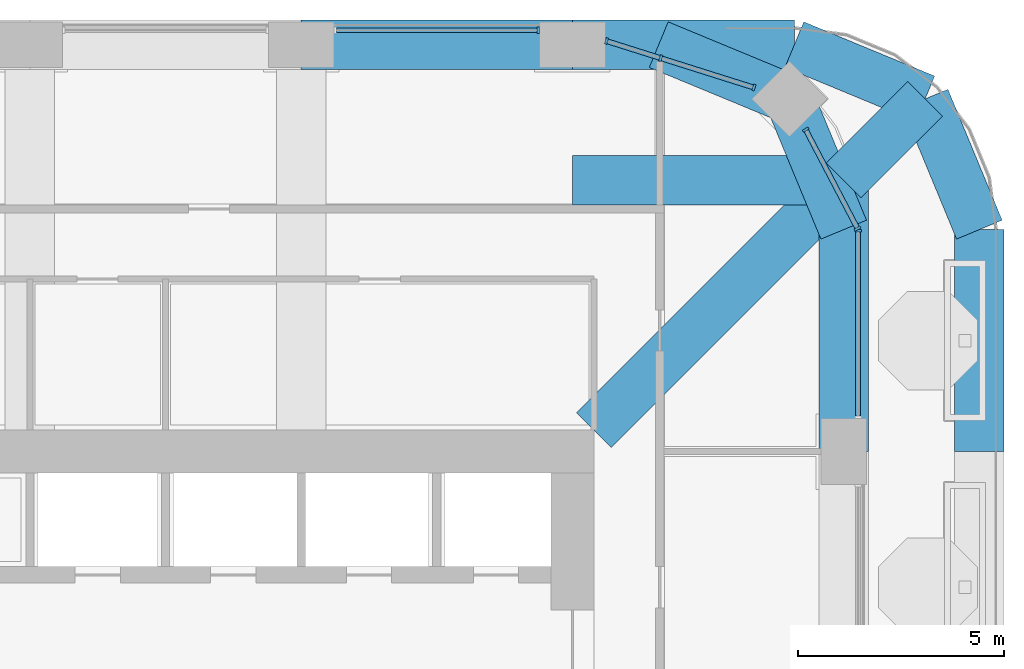
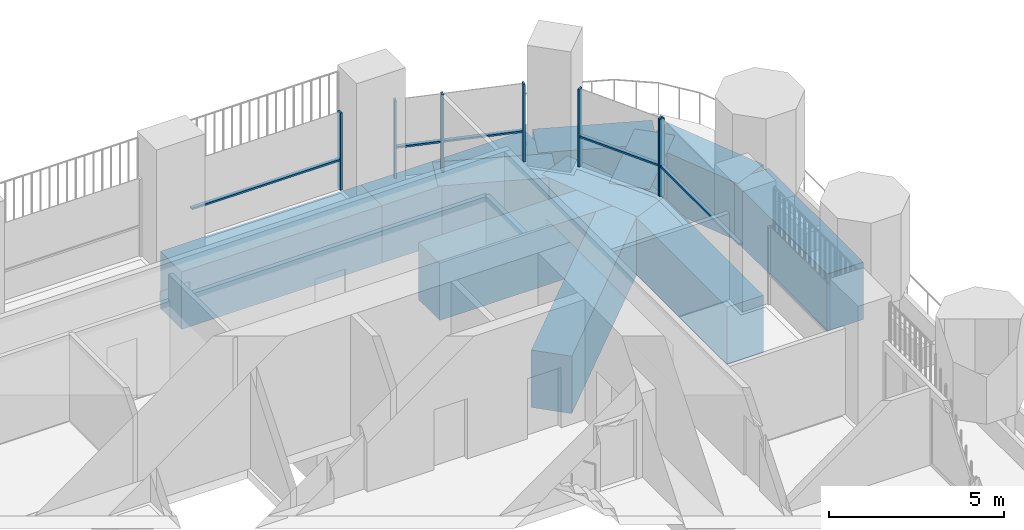
# One storey, part 7 of 24: 12 members, 11 beams, 4 elements without a shape of their own.
"""IFC4 building model written with IfcOpenShell, lengths in metres."""

import ifcopenshell
import ifcopenshell.guid

model = None  # the IFC model being written
_history = None  # IfcOwnerHistory: only IFC2X3 demands one
_inside = {}  # id of a spatial element -> (the spatial element, [elements in it])
_under = {}  # id of a project, library or spatial element -> (it, [spatial elements below it])
_declared = {}  # id of a project -> (the project, [libraries it declares])
_typed = {}  # id of a type object -> (the type object, [elements of that type])
_made_of = {}  # id of a material, layer set ... -> (it, [elements and type objects made of it])


def new_model(schema):
    """Start an empty IFC model of exactly this schema.

    Asked for "IFC4X3", IfcOpenShell would pick the latest addendum, in which some entities
    have other attributes; the version numbers below select the first issue.
    IFC2X3 requires an IfcOwnerHistory on every rooted entity: one is made here for all.
    """
    global model, _history
    if schema == "IFC4X3":
        model = ifcopenshell.file(schema_version=(4, 3, 0, 0))
    else:
        model = ifcopenshell.file(schema=schema)
    _inside.clear()
    _under.clear()
    _declared.clear()
    _typed.clear()
    _made_of.clear()
    _history = None
    if model.schema == "IFC2X3":
        org = make("IfcOrganization", Name="unknown")
        user = make(
            "IfcPersonAndOrganization",
            ThePerson=make("IfcPerson", FamilyName="unknown"),
            TheOrganization=org,
        )
        app = make(
            "IfcApplication",
            ApplicationDeveloper=org,
            Version="unknown",
            ApplicationFullName="unknown",
            ApplicationIdentifier="unknown",
        )
        _history = make(
            "IfcOwnerHistory",
            OwningUser=user,
            OwningApplication=app,
            ChangeAction="ADDED",
            CreationDate=0,
        )
    return model


def make(cls, **values):
    """One entity of the class cls with the attributes given. An attribute that is None is left unset."""
    return model.create_entity(
        cls, **{name: value for name, value in values.items() if value is not None}
    )


def rooted(cls, **values):
    """An entity with a GlobalId (a new one), such as an element, a storey or a relation."""
    return make(cls, GlobalId=ifcopenshell.guid.new(), OwnerHistory=_history, **values)


def si_unit(unit_type, name, prefix=None):
    """IfcSIUnit, for example si_unit("LENGTHUNIT", "METRE", prefix="MILLI")."""
    return make("IfcSIUnit", UnitType=unit_type, Prefix=prefix, Name=name)


def assignment(units):
    """IfcUnitAssignment: the units of a project."""
    return None if units is None else make("IfcUnitAssignment", Units=units)


def point(xyz):
    """IfcCartesianPoint."""
    return None if xyz is None else make("IfcCartesianPoint", Coordinates=xyz)


def direction(xyz):
    """IfcDirection."""
    return None if xyz is None else make("IfcDirection", DirectionRatios=xyz)


def frame(location, z_axis=None, x_axis=None):
    """IfcAxis2Placement3D, a coordinate frame: its origin and axes. An axis left out is left unset."""
    return make(
        "IfcAxis2Placement3D",
        Location=point(location),
        Axis=direction(z_axis),
        RefDirection=direction(x_axis),
    )


def frame_2d(location, x_axis=None):
    """IfcAxis2Placement2D, a coordinate frame in the plane: its origin and x axis."""
    return make(
        "IfcAxis2Placement2D", Location=point(location), RefDirection=direction(x_axis)
    )


def origin():
    """The frame at (0, 0, 0) with its axes left unset."""
    return frame((0.0, 0.0, 0.0))


def origin_2d():
    """The frame at (0, 0) in the plane with its x axis left unset."""
    return frame_2d((0.0, 0.0))


def place(relative_to, where):
    """IfcLocalPlacement: puts the frame where relative to a parent placement (None: the world)."""
    return make(
        "IfcLocalPlacement", PlacementRelTo=relative_to, RelativePlacement=where
    )


def context(
    kind, dimensions, precision=None, world=None, true_north=None, identifier=None
):
    """IfcGeometricRepresentationContext, for example the 3D "Model" context."""
    return make(
        "IfcGeometricRepresentationContext",
        ContextIdentifier=identifier,
        ContextType=kind,
        CoordinateSpaceDimension=dimensions,
        Precision=precision,
        WorldCoordinateSystem=world,
        TrueNorth=true_north,
    )


def subcontext(parent, identifier, kind, view, scale=None):
    """IfcGeometricRepresentationSubContext, for example "Body" below "Model"."""
    return make(
        "IfcGeometricRepresentationSubContext",
        ContextIdentifier=identifier,
        ContextType=kind,
        ParentContext=parent,
        TargetScale=scale,
        TargetView=view,
    )


def project(units=None, contexts=None):
    """IfcProject with its units and contexts."""
    return rooted(
        "IfcProject",
        Name="project",
        RepresentationContexts=contexts,
        UnitsInContext=assignment(units),
    )


def spatial(cls, under=None, at=None, **own):
    """A site, building, storey or space (cls), placed at a placement, below another one or the project."""
    s = rooted(cls, ObjectPlacement=at, **own)
    if under is not None:
        _under.setdefault(under.id(), (under, []))[1].append(s)
    return s


def profile(cls, at=None, kind="AREA", **sizes):
    """A parametric profile (cls). Its sizes go by their IFC names, for example OverallWidth=200.0."""
    return make(cls, ProfileType=kind, Position=at, **sizes)


def rectangle(**sizes):
    """IfcRectangleProfileDef."""
    return profile("IfcRectangleProfileDef", **sizes)


def extrude(swept, where, along, depth):
    """IfcExtrudedAreaSolid: the profile swept, set in the frame where, extruded along a direction by depth."""
    return make(
        "IfcExtrudedAreaSolid",
        SweptArea=swept,
        Position=where,
        ExtrudedDirection=direction(along),
        Depth=depth,
    )


def shape(context_of_items, identifier, shape_type, items):
    """IfcShapeRepresentation: the items that make up one representation, for example the "Body"."""
    return make(
        "IfcShapeRepresentation",
        ContextOfItems=context_of_items,
        RepresentationIdentifier=identifier,
        RepresentationType=shape_type,
        Items=items,
    )


def material(Name=None, Category=None):
    """IfcMaterial."""
    return make("IfcMaterial", Name=Name, Category=Category)


def material_profile(
    of_material, cross_section, Name=None, Category=None, Priority=None
):
    """IfcMaterialProfile: a cross section and its material."""
    return make(
        "IfcMaterialProfile",
        Name=Name,
        Material=of_material,
        Profile=cross_section,
        Priority=Priority,
        Category=Category,
    )


def profile_set(profiles, Name=None, composite=None):
    """IfcMaterialProfileSet."""
    return make(
        "IfcMaterialProfileSet",
        Name=Name,
        MaterialProfiles=profiles,
        CompositeProfile=composite,
    )


def made_of(thing, what):
    """Note that an element or type object is made of a material, layer set ...; save() writes the relation."""
    if what is not None:
        _made_of.setdefault(what.id(), (what, []))[1].append(thing)
    return thing


def type_object(cls, material=None, **own):
    """A type object (cls), such as IfcWallType, which elements share."""
    return made_of(rooted(cls, **own), material)


def element(
    cls,
    number,
    at=None,
    inside=None,
    cuts=None,
    type_object=None,
    material=None,
    context=None,
    identifier="Body",
    shape_type=None,
    held_by="IfcProductDefinitionShape",
    body=None,
    shapes=None,
    **own,
):
    """One element of the class cls, such as IfcWall. Its Tag is "e" and its number.

    at: its placement. inside: the storey or other place that contains it. cuts: it is an
    opening in that element (IfcRelVoidsElement). A single representation is given by context,
    identifier, shape_type and body (its items); several are given by shapes. held_by: the class
    of the entity that holds the representations. save() writes the other relations.
    """
    e = rooted(cls, Tag="e%d" % number, ObjectPlacement=at, **own)
    if body is not None:
        shapes = [shape(context, identifier, shape_type, body)]
    if shapes is not None:
        e.Representation = make(held_by, Representations=shapes)
    if inside is not None:
        _inside.setdefault(inside.id(), (inside, []))[1].append(e)
    if cuts is not None:
        rooted(
            "IfcRelVoidsElement", RelatingBuildingElement=cuts, RelatedOpeningElement=e
        )
    if type_object is not None:
        _typed.setdefault(type_object.id(), (type_object, []))[1].append(e)
    return made_of(e, material)


def aggregate(whole, parts):
    """IfcRelAggregates: a whole, such as a stair, and the parts it consists of."""
    return rooted("IfcRelAggregates", RelatingObject=whole, RelatedObjects=parts)


def save(model, path):
    """Write the relations noted so far, then the file.

    IfcRelAggregates (storeys below a building ...), IfcRelContainedInSpatialStructure (elements
    in a storey), IfcRelDefinesByType, IfcRelAssociatesMaterial and IfcRelDeclares: one each for
    every whole, place, type object, material and project.
    """
    for whole, parts in _under.values():
        aggregate(whole, parts)
    for where, things in _inside.values():
        rooted(
            "IfcRelContainedInSpatialStructure",
            RelatedElements=things,
            RelatingStructure=where,
        )
    for kind, things in _typed.values():
        rooted("IfcRelDefinesByType", RelatedObjects=things, RelatingType=kind)
    for what, things in _made_of.values():
        rooted("IfcRelAssociatesMaterial", RelatedObjects=things, RelatingMaterial=what)
    for by, libraries in _declared.values():
        rooted("IfcRelDeclares", RelatingContext=by, RelatedDefinitions=libraries)
    model.write(path)


model = new_model("IFC4")

# Units and contexts
model_context = context("Model", 3, precision=1e-05, world=origin(), true_north=direction((0.0, 1.0)))
body_context = subcontext(model_context, "Body", "Model", "MODEL_VIEW")
ifc_project = project(units=[si_unit("LENGTHUNIT", "METRE"), si_unit("AREAUNIT", "SQUARE_METRE"), si_unit("VOLUMEUNIT", "CUBIC_METRE"), si_unit("PLANEANGLEUNIT", "RADIAN"), si_unit("MASSUNIT", "GRAM", prefix="KILO")], contexts=[model_context])

# Site, building, storey
site_placement = place(None, origin())
site = spatial("IfcSite", under=ifc_project, at=site_placement, CompositionType="ELEMENT")
building_placement = place(site_placement, origin())
building = spatial("IfcBuilding", under=site, at=building_placement, Name="Cobogo Forest Laboratory Tower", CompositionType="ELEMENT")
storey_placement = place(building_placement, frame((0.0, 0.0, 229.199951171875)))
storey = spatial("IfcBuildingStorey", under=building, at=storey_placement, Name="L52", CompositionType="ELEMENT", Elevation=229.199951171875)

# Curtain wall, member
ifc_material_1 = material(Name="Aluminium curtain wall", Category="aluminium")
curtain_wall_type = type_object("IfcCurtainWallType", Name="CW-2 unitised curtain wall, solar control glazing, laboratory floors zones C and D", PredefinedType="USERDEFINED", material=ifc_material_1)
curtain_wall_1_placement = place(storey_placement, origin())
curtain_wall_1 = element("IfcCurtainWall", 1, at=curtain_wall_1_placement, inside=storey, type_object=curtain_wall_type, Name="Curtain wall 11 L52", ObjectType="UNITISED CURTAIN WALL", PredefinedType="USERDEFINED")
ifc_material_2 = material(Name="Aluminium mullion", Category="aluminium")
ifc_material_profile_1 = material_profile(ifc_material_2, rectangle(XDim=0.06005859375, YDim=0.159912109375, at=origin_2d()), Name="AL 60x160")
ifc_profile_set_1 = profile_set([ifc_material_profile_1], Name="Aluminium mullion")
member_type_1 = type_object("IfcMemberType", Name="MU-1 aluminium mullion 60x160", PredefinedType="MULLION", material=ifc_profile_set_1)
member_1_placement = place(storey_placement, frame((46.550048828125, 38.3701171875, 0.0), z_axis=(0.0, 0.0, 1.0), x_axis=(0.0, 1.0, 0.0)))
member_1 = element("IfcMember", 2, at=member_1_placement, type_object=member_type_1, Name="CW-2 mullion 2", PredefinedType="MULLION", context=body_context, shape_type="SweptSolid", body=[
    extrude(rectangle(XDim=0.06005859375, YDim=0.159912109375, at=origin_2d()), origin(), (0.0, 0.0, 1.0), 2.699951171875),
])

# Curtain wall, members
curtain_wall_2_placement = place(storey_placement, origin())
curtain_wall_2 = element("IfcCurtainWall", 3, at=curtain_wall_2_placement, inside=storey, type_object=curtain_wall_type, Name="Curtain wall 12 L52", ObjectType="UNITISED CURTAIN WALL", PredefinedType="USERDEFINED")
member_2_placement = place(storey_placement, frame((46.5361328125, 38.426513671875, 0.0), z_axis=(0.0, 0.0, 1.0), x_axis=(-0.464283685186, 0.885686547075, 0.0)))
member_2 = element("IfcMember", 4, at=member_2_placement, type_object=member_type_1, Name="CW-2 mullion 1", PredefinedType="MULLION", context=body_context, shape_type="SweptSolid", body=[
    extrude(rectangle(XDim=0.06005859375, YDim=0.159912109375, at=origin_2d()), origin(), (0.0, 0.0, 1.0), 2.699951171875),
])
member_3_placement = place(storey_placement, frame((45.275390625, 40.831787109375, 0.0), z_axis=(0.0, 0.0, 1.0), x_axis=(-0.464283685186, 0.885686547075, 0.0)))
member_3 = element("IfcMember", 5, at=member_3_placement, type_object=member_type_1, Name="CW-2 mullion 2", PredefinedType="MULLION", context=body_context, shape_type="SweptSolid", body=[
    extrude(rectangle(XDim=0.06005859375, YDim=0.159912109375, at=origin_2d()), origin(), (0.0, 0.0, 1.0), 2.699951171875),
])

curtain_wall_3_placement = place(storey_placement, origin())
curtain_wall_3 = element("IfcCurtainWall", 6, at=curtain_wall_3_placement, inside=storey, type_object=curtain_wall_type, Name="Curtain wall 13 L52", ObjectType="UNITISED CURTAIN WALL", PredefinedType="USERDEFINED")
member_4_placement = place(storey_placement, frame((44.01513671875, 41.855712890625, 0.0), z_axis=(0.0, 0.0, 1.0), x_axis=(-0.953581351952, 0.301135526315, 0.0)))
member_4 = element("IfcMember", 7, at=member_4_placement, type_object=member_type_1, Name="CW-2 mullion 1", PredefinedType="MULLION", context=body_context, shape_type="SweptSolid", body=[
    extrude(rectangle(XDim=0.06005859375, YDim=0.159912109375, at=origin_2d()), origin(), (0.0, 0.0, 1.0), 2.699951171875),
])
member_5_placement = place(storey_placement, frame((41.7490234375, 42.5712890625, 0.0), z_axis=(0.0, 0.0, 1.0), x_axis=(-0.953581351952, 0.301135526315, 0.0)))
member_5 = element("IfcMember", 8, at=member_5_placement, type_object=member_type_1, Name="CW-2 mullion 2", PredefinedType="MULLION", context=body_context, shape_type="SweptSolid", body=[
    extrude(rectangle(XDim=0.06005859375, YDim=0.159912109375, at=origin_2d()), origin(), (0.0, 0.0, 1.0), 2.699951171875),
])
member_6_placement = place(storey_placement, frame((40.4287109375, 42.98828125, 0.0), z_axis=(0.0, 0.0, 1.0), x_axis=(-0.953581351952, 0.301135526315, 0.0)))
member_6 = element("IfcMember", 9, at=member_6_placement, type_object=member_type_1, Name="CW-2 mullion 3", PredefinedType="MULLION", context=body_context, shape_type="SweptSolid", body=[
    extrude(rectangle(XDim=0.06005859375, YDim=0.159912109375, at=origin_2d()), origin(), (0.0, 0.0, 1.0), 2.699951171875),
])

# Curtain wall, member
curtain_wall_4_placement = place(storey_placement, origin())
curtain_wall_4 = element("IfcCurtainWall", 10, at=curtain_wall_4_placement, inside=storey, type_object=curtain_wall_type, Name="Curtain wall 14 L52", ObjectType="UNITISED CURTAIN WALL", PredefinedType="USERDEFINED")
member_7_placement = place(storey_placement, frame((38.77001953125, 43.25, 0.0), z_axis=(0.0, 0.0, 1.0), x_axis=(-1.0, 0.0, 0.0)))
member_7 = element("IfcMember", 11, at=member_7_placement, type_object=member_type_1, Name="CW-2 mullion 1", PredefinedType="MULLION", context=body_context, shape_type="SweptSolid", body=[
    extrude(rectangle(XDim=0.06005859375, YDim=0.159912109375, at=origin_2d()), origin(), (0.0, 0.0, 1.0), 2.699951171875),
])

# Beams
ifc_material_3 = material(Name="Concrete HA-40 (C40/50)", Category="concrete")
ifc_material_profile_2 = material_profile(ifc_material_3, rectangle(XDim=1.199951171875, YDim=2.0, at=origin_2d()), Name="RC 1200x2000")
ifc_profile_set_2 = profile_set([ifc_material_profile_2], Name="Concrete HA-40 (C40/50)")
beam_type = type_object("IfcBeamType", Name="Setback floor girder 1200x2000", PredefinedType="BEAM", material=ifc_profile_set_2)
beam_1_placement = place(storey_placement, frame((46.199951171875, 39.60009765625, -1.300048828125), z_axis=(0.0, -1.0, 0.0), x_axis=(1.0, 0.0, 0.0)))
element("IfcBeam", 12, at=beam_1_placement, inside=storey, type_object=beam_type, Name="TG2 G-NE-XC L52", PredefinedType="BEAM", context=body_context, shape_type="SweptSolid", body=[
    extrude(rectangle(XDim=1.199951171875, YDim=2.0, at=origin_2d()), origin(), (0.0, 0.0, 1.0), 6.60009765625),
])
beam_2_placement = place(storey_placement, frame((46.199951171875, 39.60009765625, -1.300048828125), z_axis=(-1.0, 0.0, 0.0), x_axis=(0.0, -1.0, 0.0)))
element("IfcBeam", 13, at=beam_2_placement, inside=storey, type_object=beam_type, Name="TG2 G-NE-YC L52", PredefinedType="BEAM", context=body_context, shape_type="SweptSolid", body=[
    extrude(rectangle(XDim=1.199951171875, YDim=2.0, at=origin_2d()), origin(), (0.0, 0.0, 1.0), 6.599853515625),
])
beam_3_placement = place(storey_placement, frame((48.181884765625, 41.58203125, -1.300048828125), z_axis=(-0.707106781187, -0.707106781187, 0.0), x_axis=(0.707106781187, -0.707106781187, 0.0)))
element("IfcBeam", 14, at=beam_3_placement, inside=storey, type_object=beam_type, Name="TG2 G-NE-D1 L52", PredefinedType="BEAM", context=body_context, shape_type="SweptSolid", body=[
    extrude(rectangle(XDim=1.199951171875, YDim=2.0, at=origin_2d()), origin(), (0.0, 0.0, 1.0), 2.802978515625),
])
beam_4_placement = place(storey_placement, frame((46.199951171875, 39.60009765625, -1.300048828125), z_axis=(-0.707092572697, -0.70712098939, 0.0), x_axis=(0.70712098939, -0.707092572697, 0.0)))
element("IfcBeam", 15, at=beam_4_placement, inside=storey, type_object=beam_type, Name="TG2 G-NE-D2 L52", PredefinedType="BEAM", context=body_context, shape_type="SweptSolid", body=[
    extrude(rectangle(XDim=1.199951171875, YDim=2.0, at=origin_2d()), origin(), (0.0, 0.0, 1.0), 8.591552734375),
])
beam_5_placement = place(storey_placement, frame((33.0, 42.89990234375, -1.300048828125), z_axis=(1.0, 0.0, 0.0), x_axis=(0.0, 1.0, 0.0)))
element("IfcBeam", 16, at=beam_5_placement, inside=storey, type_object=beam_type, Name="TG2 E-N4 L52", PredefinedType="BEAM", context=body_context, shape_type="SweptSolid", body=[
    extrude(rectangle(XDim=1.199951171875, YDim=2.0, at=origin_2d()), origin(), (0.0, 0.0, 1.0), 6.60009765625),
])
beam_6_placement = place(storey_placement, frame((49.5, 33.0, -1.300048828125), z_axis=(0.0, 1.0, 0.0), x_axis=(-1.0, 0.0, 0.0)))
element("IfcBeam", 17, at=beam_6_placement, inside=storey, type_object=beam_type, Name="TG2 E-NEE1 L52", PredefinedType="BEAM", context=body_context, shape_type="SweptSolid", body=[
    extrude(rectangle(XDim=1.199951171875, YDim=2.0, at=origin_2d()), origin(), (0.0, 0.0, 1.0), 5.39990234375),
])
beam_7_placement = place(storey_placement, frame((49.5, 38.39990234375, -1.300048828125), z_axis=(-0.382691928466, 0.923876013265, 0.0), x_axis=(-0.923876013265, -0.382691928466, 0.0)))
element("IfcBeam", 18, at=beam_7_placement, inside=storey, type_object=beam_type, Name="TG2 E-NEE2 L52", PredefinedType="BEAM", context=body_context, shape_type="SweptSolid", body=[
    extrude(rectangle(XDim=1.199951171875, YDim=2.0, at=origin_2d()), origin(), (0.0, 0.0, 1.0), 3.4443359375),
])
beam_8_placement = place(storey_placement, frame((39.60009765625, 42.89990234375, -1.300048828125), z_axis=(1.0, 0.0, 0.0), x_axis=(0.0, 1.0, 0.0)))
element("IfcBeam", 19, at=beam_8_placement, inside=storey, type_object=beam_type, Name="TG2 E-NEN1 L52", PredefinedType="BEAM", context=body_context, shape_type="SweptSolid", body=[
    extrude(rectangle(XDim=1.199951171875, YDim=2.0, at=origin_2d()), origin(), (0.0, 0.0, 1.0), 5.39990234375),
])
beam_9_placement = place(storey_placement, frame((45.0, 42.89990234375, -1.300048828125), z_axis=(0.923890694089, -0.382656484822, 0.0), x_axis=(0.382656484822, 0.923890694089, 0.0)))
element("IfcBeam", 20, at=beam_9_placement, inside=storey, type_object=beam_type, Name="TG2 E-NEN2 L52", PredefinedType="BEAM", context=body_context, shape_type="SweptSolid", body=[
    extrude(rectangle(XDim=1.199951171875, YDim=2.0, at=origin_2d()), origin(), (0.0, 0.0, 1.0), 3.444091796875),
])
for number, where, z_axis, x_axis, name in (
    (21, (46.199951171875, 38.39990234375, -1.300048828125), (-0.382631424892, 0.923901072997, 0.0), (-0.923901072997, -0.382631424892, 0.0), "TG2 UE-NEE2 L52"),
    (22, (41.699951171875, 42.89990234375, -1.300048828125), (0.923901072997, -0.382631424892, 0.0), (0.382631424892, 0.923901072997, 0.0), "TG2 UE-NEN2 L52"),
):
    element("IfcBeam", number, at=place(storey_placement, frame(where, z_axis=z_axis, x_axis=x_axis)), inside=storey, type_object=beam_type, Name=name, PredefinedType="BEAM", context=body_context, shape_type="SweptSolid", body=[
        extrude(rectangle(XDim=1.199951171875, YDim=2.0, at=origin_2d()), origin(), (0.0, 0.0, 1.0), 3.4443359375),
    ])

# Member
ifc_material_4 = material(Name="Aluminium transom", Category="aluminium")
ifc_material_profile_3 = material_profile(ifc_material_4, rectangle(XDim=0.1201171875, YDim=0.06005859375, at=origin_2d()), Name="AL 60x120")
ifc_profile_set_3 = profile_set([ifc_material_profile_3], Name="Aluminium transom")
member_type_2 = type_object("IfcMemberType", Name="TR-1 aluminium transom 60x120", PredefinedType="USERDEFINED", material=ifc_profile_set_3)
member_8_placement = place(storey_placement, frame((46.550048828125, 33.860107421875, 1.050048828125), z_axis=(0.0, 1.0, 0.0), x_axis=(-1.0, 0.0, 0.0)))
member_8 = element("IfcMember", 23, at=member_8_placement, type_object=member_type_2, Name="CW-2 transom 1.1", ObjectType="TRANSOM", PredefinedType="USERDEFINED", context=body_context, shape_type="SweptSolid", body=[
    extrude(rectangle(XDim=0.1201171875, YDim=0.06005859375, at=origin_2d()), origin(), (0.0, 0.0, 1.0), 4.47998046875),
])

aggregate(curtain_wall_1, [member_1, member_8])

member_9_placement = place(storey_placement, frame((46.522216796875, 38.453125, 1.050048828125), z_axis=(-0.464268054753, 0.885694740493, 0.0), x_axis=(-0.885694740493, -0.464268054753, 0.0)))
member_9 = element("IfcMember", 24, at=member_9_placement, type_object=member_type_2, Name="CW-2 transom 1.1", ObjectType="TRANSOM", PredefinedType="USERDEFINED", context=body_context, shape_type="SweptSolid", body=[
    extrude(rectangle(XDim=0.1201171875, YDim=0.06005859375, at=origin_2d()), origin(), (0.0, 0.0, 1.0), 2.655517578125),
])

aggregate(curtain_wall_2, [member_2, member_3, member_9])

member_10_placement = place(storey_placement, frame((43.986328125, 41.86474609375, 1.050048828125), z_axis=(-0.953581072128, 0.30113641241, 0.0), x_axis=(-0.30113641241, -0.953581072128, 0.0)))
member_10 = element("IfcMember", 25, at=member_10_placement, type_object=member_type_2, Name="CW-2 transom 1.1", ObjectType="TRANSOM", PredefinedType="USERDEFINED", context=body_context, shape_type="SweptSolid", body=[
    extrude(rectangle(XDim=0.1201171875, YDim=0.06005859375, at=origin_2d()), origin(), (0.0, 0.0, 1.0), 2.316162109375),
])

member_11_placement = place(storey_placement, frame((41.720458984375, 42.580322265625, 1.050048828125), z_axis=(-0.953577094138, 0.301149008856, 0.0), x_axis=(-0.301149008856, -0.953577094138, 0.0)))
member_11 = element("IfcMember", 26, at=member_11_placement, type_object=member_type_2, Name="CW-2 transom 2.1", ObjectType="TRANSOM", PredefinedType="USERDEFINED", context=body_context, shape_type="SweptSolid", body=[
    extrude(rectangle(XDim=0.1201171875, YDim=0.06005859375, at=origin_2d()), origin(), (0.0, 0.0, 1.0), 1.32470703125),
])

aggregate(curtain_wall_3, [member_4, member_5, member_6, member_10, member_11])

member_12_placement = place(storey_placement, frame((38.739990234375, 43.25, 1.050048828125), z_axis=(-1.0, 0.0, 0.0), x_axis=(0.0, -1.0, 0.0)))
member_12 = element("IfcMember", 27, at=member_12_placement, type_object=member_type_2, Name="CW-2 transom 1.1", ObjectType="TRANSOM", PredefinedType="USERDEFINED", context=body_context, shape_type="SweptSolid", body=[
    extrude(rectangle(XDim=0.1201171875, YDim=0.06005859375, at=origin_2d()), origin(), (0.0, 0.0, 1.0), 4.8798828125),
])

aggregate(curtain_wall_4, [member_7, member_12])

save(model, "model.ifc")
